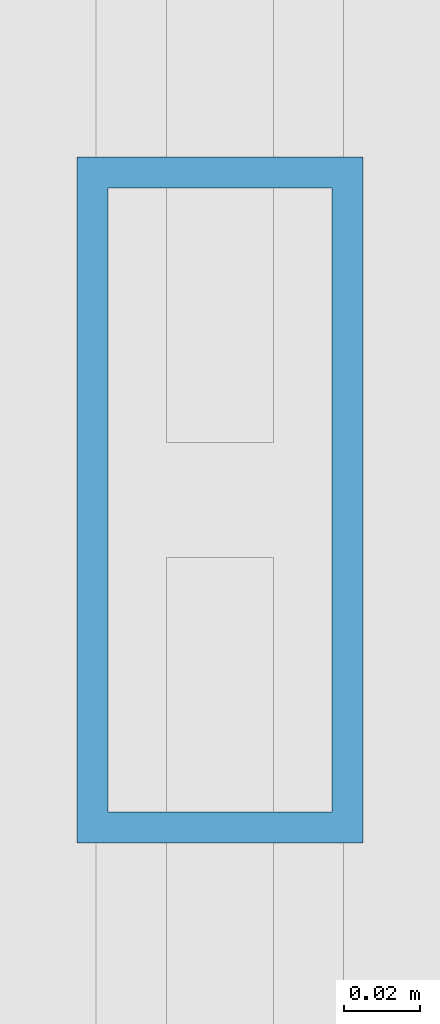
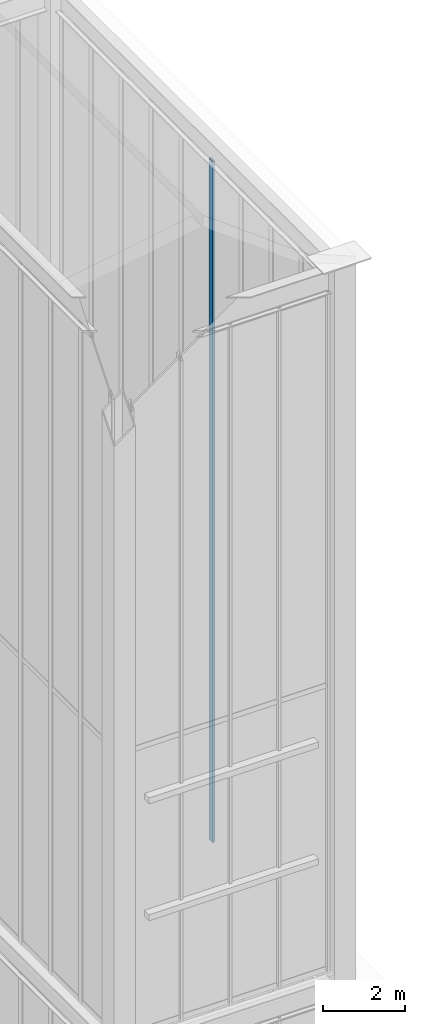
# One storey, part 59 of 135: 1 member, 1 element without a shape of its own.
"""IFC4 building model written with IfcOpenShell, lengths in metres."""

from ifc_helpers import new_model, si_unit, direction, frame, origin, origin_2d, place, context, subcontext, project, spatial, hollow_rectangle, extrude, source, transform, mapped, material, layer, layer_set, material_profile, profile_set, type_object, element, aggregate, save


model = new_model("IFC4")

# Units and contexts
model_context = context("Model", 3, precision=1e-05, world=origin(), true_north=direction((0.0, 1.0)))
body_context = subcontext(model_context, "Body", "Model", "MODEL_VIEW")
ifc_project = project(units=[si_unit("LENGTHUNIT", "METRE"), si_unit("AREAUNIT", "SQUARE_METRE"), si_unit("VOLUMEUNIT", "CUBIC_METRE"), si_unit("PLANEANGLEUNIT", "RADIAN"), si_unit("MASSUNIT", "GRAM", prefix="KILO")], contexts=[model_context])

# Site, building, storey
site_placement = place(None, origin())
site = spatial("IfcSite", under=ifc_project, at=site_placement, CompositionType="ELEMENT")
building_placement = place(site_placement, origin())
building = spatial("IfcBuilding", under=site, at=building_placement, Name="Giltprow Tower", CompositionType="ELEMENT")
storey_placement = place(building_placement, frame((0.0, 0.0, 352.699951171875)))
storey = spatial("IfcBuildingStorey", under=building, at=storey_placement, Name="L92", CompositionType="ELEMENT", Elevation=352.699951171875)

# Curtain wall, member
ifc_material = material(Name="Anodized bronze", Category="metal")
ifc_layer = layer(ifc_material, 0.179931640625, Name="Anodized bronze")
ifc_layer_set = layer_set([ifc_layer], Name="Anodized bronze")
curtain_wall_type = type_object("IfcCurtainWallType", Name="CW-CROWN-LANTERN", PredefinedType="NOTDEFINED", material=ifc_layer_set)
curtain_wall_placement = place(storey_placement, origin())
curtain_wall = element("IfcCurtainWall", 1, at=curtain_wall_placement, inside=storey, type_object=curtain_wall_type, Name="Crown East Upper Lantern Glazing 2", PredefinedType="NOTDEFINED")
ifc_material_profile = material_profile(ifc_material, hollow_rectangle(XDim=0.074951171875, YDim=0.179931640625, WallThickness=0.008056640625, at=origin_2d()), Name="RHS 180x75x8")
ifc_profile_set = profile_set([ifc_material_profile], Name="Anodized bronze")
member_type = type_object("IfcMemberType", Name="CW-MULLION-180x75", PredefinedType="MULLION", material=ifc_profile_set)
shared_shape = source(origin(), body_context, "Body", "SweptSolid", [
    extrude(hollow_rectangle(XDim=0.074951171875, YDim=0.179931640625, WallThickness=0.008056640625, at=origin_2d()), origin(), (0.0, 0.0, 1.0), 20.406005859375),
])
member_placement = place(storey_placement, frame((50.550048828125, 29.739013671875, 17.25), z_axis=(0.0, 0.0, 1.0), x_axis=(1.0, 0.0, 0.0)))
member = element("IfcMember", 2, at=member_placement, type_object=member_type, Name="Crown East Upper Lantern Glazing 2 Mullion 5", PredefinedType="MULLION", context=body_context, shape_type="MappedRepresentation", body=[
    mapped(shared_shape, transform((0.0, 0.0, 0.0), x_axis=(1.0, 0.0, 0.0), y_axis=(0.0, 1.0, 0.0), z_axis=(0.0, 0.0, 1.0), scale=1.0)),
])
aggregate(curtain_wall, [member])

save(model, "model.ifc")
